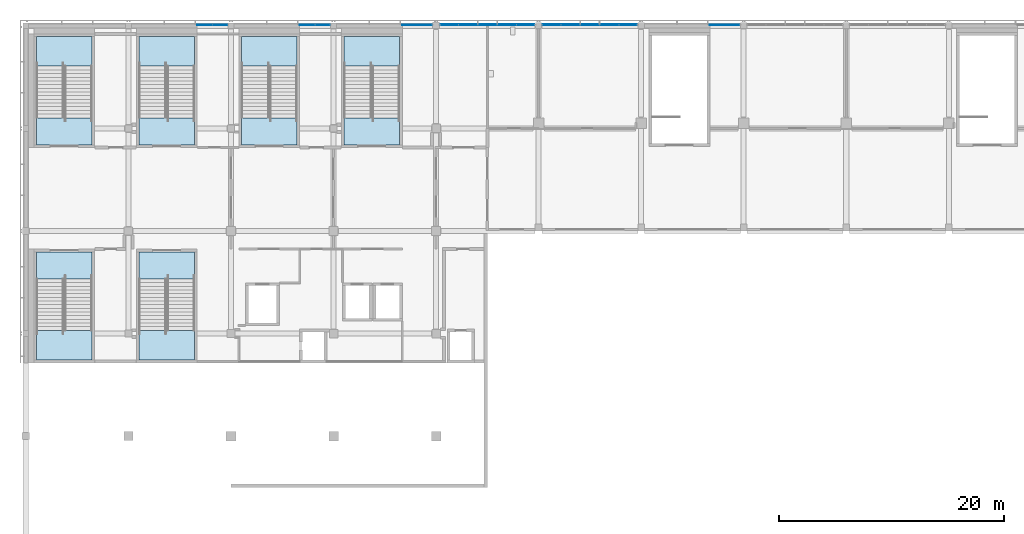
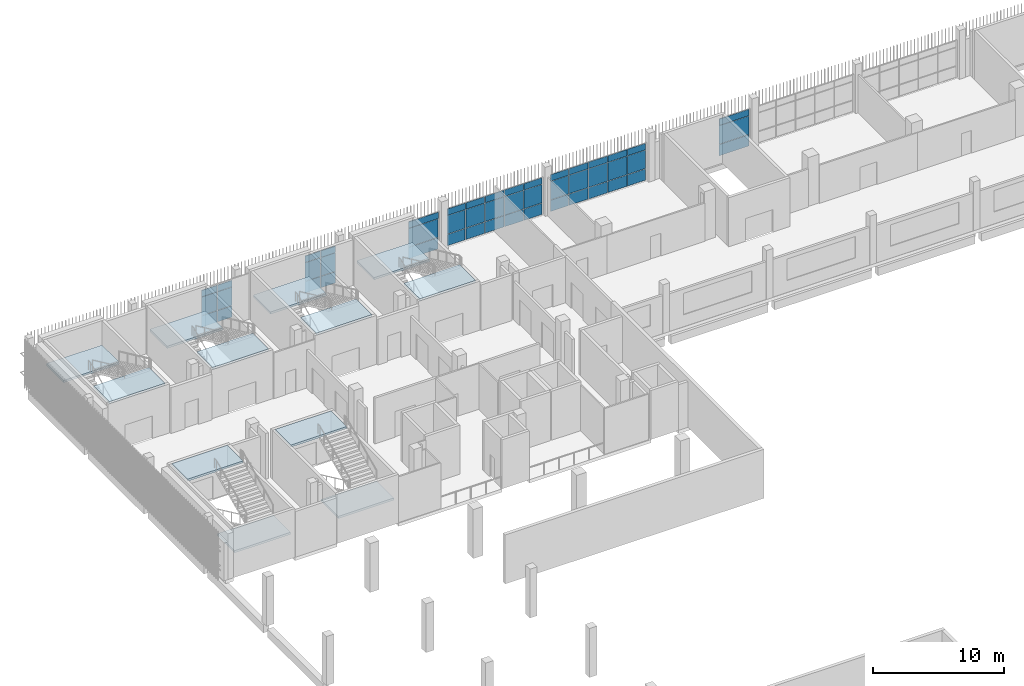
# One storey, part 47 of 104: 48 plates, 12 slabs, 12 elements without a shape of their own.
"""IFC4 building model written with IfcOpenShell, lengths in metres."""

from ifc_helpers import new_model, si_unit, direction, frame, origin, origin_2d, place, context, subcontext, project, spatial, polyline, rectangle, outline, extrude, material, layer, layer_set, type_object, element, aggregate, save


model = new_model("IFC4")

# Units and contexts
model_context = context("Model", 3, precision=1e-05, world=origin(), true_north=direction((0.0, 1.0)))
body_context = subcontext(model_context, "Body", "Model", "MODEL_VIEW")
ifc_project = project(units=[si_unit("LENGTHUNIT", "METRE"), si_unit("AREAUNIT", "SQUARE_METRE"), si_unit("VOLUMEUNIT", "CUBIC_METRE"), si_unit("PLANEANGLEUNIT", "RADIAN"), si_unit("MASSUNIT", "GRAM", prefix="KILO")], contexts=[model_context])

# Site, building, storey
site_placement = place(None, origin())
site = spatial("IfcSite", under=ifc_project, at=site_placement, CompositionType="ELEMENT")
building_placement = place(site_placement, origin())
building = spatial("IfcBuilding", under=site, at=building_placement, Name="Shirokan Park Arena", CompositionType="ELEMENT")
storey_placement = place(building_placement, frame((0.0, 0.0, 10.919921875)))
storey = spatial("IfcBuildingStorey", under=building, at=storey_placement, Name="L02", CompositionType="ELEMENT", Elevation=10.919921875)

# Curtain wall, plate
ifc_material_1 = material(Name="Steel and glass curtain wall", Category="steel")
ifc_layer_1 = layer(ifc_material_1, 0.1201171875)
ifc_layer_set_1 = layer_set([ifc_layer_1], Name="Steel and glass curtain wall 120 mm")
curtain_wall_type_1 = type_object("IfcCurtainWallType", Name="Curtain wall corner block side bay 120", PredefinedType="NOTDEFINED", material=ifc_layer_set_1)
curtain_wall_1_placement = place(storey_placement, origin())
curtain_wall_1 = element("IfcCurtainWall", 1, at=curtain_wall_1_placement, inside=storey, type_object=curtain_wall_type_1, Name="Curtain wall north bay 10 L02", PredefinedType="NOTDEFINED")
ifc_material_2 = material(Name="Aluminium sheet", Category="aluminium")
ifc_layer_2 = layer(ifc_material_2, 0.0029296875, Name="Aluminium sheet")
ifc_material_3 = material(Name="Mineral wool insulation")
ifc_layer_3 = layer(ifc_material_3, 0.053955078125, Name="Mineral wool insulation")
ifc_layer_4 = layer(ifc_material_2, 0.0029296875, Name="Aluminium sheet")
ifc_layer_set_2 = layer_set([ifc_layer_2, ifc_layer_3, ifc_layer_4], Name="Aluminium sheet + Mineral wool insulation")
plate_type_1 = type_object("IfcPlateType", Name="Insulated spandrel panel 60", PredefinedType="CURTAIN_PANEL", material=ifc_layer_set_2)
plate_1_placement = place(storey_placement, frame((62.012451171875, 109.2900390625, 2.8701171875), z_axis=(0.0, 0.0, 1.0), x_axis=(-1.0, 0.0, 0.0)))
plate_1 = element("IfcPlate", 2, at=plate_1_placement, type_object=plate_type_1, Name="CW3 panel 1.3", PredefinedType="CURTAIN_PANEL", context=body_context, shape_type="SweptSolid", body=[
    extrude(rectangle(XDim=2.625, YDim=0.06005859375, at=origin_2d()), origin(), (0.0, 0.0, 1.0), 0.590087890625),
])

# Curtain wall, plates
ifc_layer_5 = layer(ifc_material_1, 0.10009765625)
ifc_layer_set_3 = layer_set([ifc_layer_5], Name="Steel and glass curtain wall 100 mm")
curtain_wall_type_2 = type_object("IfcCurtainWallType", Name="Curtain wall sheltered bay 100", PredefinedType="NOTDEFINED", material=ifc_layer_set_3)
curtain_wall_2_placement = place(storey_placement, origin())
curtain_wall_2 = element("IfcCurtainWall", 3, at=curtain_wall_2_placement, inside=storey, type_object=curtain_wall_type_2, Name="Curtain wall north bay 11 L02", PredefinedType="NOTDEFINED")
plate_2_placement = place(storey_placement, frame((53.4326171875, 109.300048828125, 2.8701171875), z_axis=(0.0, 0.0, 1.0), x_axis=(-1.0, 0.0, 0.0)))
plate_2 = element("IfcPlate", 4, at=plate_2_placement, type_object=plate_type_1, Name="CW2 panel 1.3", PredefinedType="CURTAIN_PANEL", context=body_context, shape_type="SweptSolid", body=[
    extrude(rectangle(XDim=1.5849609375, YDim=0.06005859375, at=origin_2d()), origin(), (0.0, 0.0, 1.0), 0.590087890625),
])
plate_3_placement = place(storey_placement, frame((51.760009765625, 109.300048828125, 2.8701171875), z_axis=(0.0, 0.0, 1.0), x_axis=(-1.0, 0.0, 0.0)))
plate_3 = element("IfcPlate", 5, at=plate_3_placement, type_object=plate_type_1, Name="CW2 panel 2.3", PredefinedType="CURTAIN_PANEL", context=body_context, shape_type="SweptSolid", body=[
    extrude(rectangle(XDim=1.659912109375, YDim=0.06005859375, at=origin_2d()), origin(), (0.0, 0.0, 1.0), 0.590087890625),
])
plate_4_placement = place(storey_placement, frame((50.050048828125, 109.300048828125, 2.8701171875), z_axis=(0.0, 0.0, 1.0), x_axis=(-1.0, 0.0, 0.0)))
plate_4 = element("IfcPlate", 6, at=plate_4_placement, type_object=plate_type_1, Name="CW2 panel 3.3", PredefinedType="CURTAIN_PANEL", context=body_context, shape_type="SweptSolid", body=[
    extrude(rectangle(XDim=1.659912109375, YDim=0.06005859375, at=origin_2d()), origin(), (0.0, 0.0, 1.0), 0.590087890625),
])
plate_5_placement = place(storey_placement, frame((48.340087890625, 109.300048828125, 2.8701171875), z_axis=(0.0, 0.0, 1.0), x_axis=(-1.0, 0.0, 0.0)))
plate_5 = element("IfcPlate", 7, at=plate_5_placement, type_object=plate_type_1, Name="CW2 panel 4.3", PredefinedType="CURTAIN_PANEL", context=body_context, shape_type="SweptSolid", body=[
    extrude(rectangle(XDim=1.659912109375, YDim=0.06005859375, at=origin_2d()), origin(), (0.0, 0.0, 1.0), 0.590087890625),
])
plate_6_placement = place(storey_placement, frame((46.66748046875, 109.300048828125, 2.8701171875), z_axis=(0.0, 0.0, 1.0), x_axis=(-1.0, 0.0, 0.0)))
plate_6 = element("IfcPlate", 8, at=plate_6_placement, type_object=plate_type_1, Name="CW2 panel 5.3", PredefinedType="CURTAIN_PANEL", context=body_context, shape_type="SweptSolid", body=[
    extrude(rectangle(XDim=1.5849609375, YDim=0.06005859375, at=origin_2d()), origin(), (0.0, 0.0, 1.0), 0.590087890625),
])

curtain_wall_3_placement = place(storey_placement, origin())
curtain_wall_3 = element("IfcCurtainWall", 9, at=curtain_wall_3_placement, inside=storey, type_object=curtain_wall_type_2, Name="Curtain wall north bay 12 L02", PredefinedType="NOTDEFINED")
plate_7_placement = place(storey_placement, frame((44.3349609375, 109.300048828125, 2.8701171875), z_axis=(0.0, 0.0, 1.0), x_axis=(-1.0, 0.0, 0.0)))
plate_7 = element("IfcPlate", 10, at=plate_7_placement, type_object=plate_type_1, Name="CW2 panel 1.3", PredefinedType="CURTAIN_PANEL", context=body_context, shape_type="SweptSolid", body=[
    extrude(rectangle(XDim=1.580078125, YDim=0.06005859375, at=origin_2d()), origin(), (0.0, 0.0, 1.0), 0.590087890625),
])
plate_8_placement = place(storey_placement, frame((42.66748046875, 109.300048828125, 2.8701171875), z_axis=(0.0, 0.0, 1.0), x_axis=(-1.0, 0.0, 0.0)))
plate_8 = element("IfcPlate", 11, at=plate_8_placement, type_object=plate_type_1, Name="CW2 panel 2.3", PredefinedType="CURTAIN_PANEL", context=body_context, shape_type="SweptSolid", body=[
    extrude(rectangle(XDim=1.655029296875, YDim=0.06005859375, at=origin_2d()), origin(), (0.0, 0.0, 1.0), 0.590087890625),
])
plate_9_placement = place(storey_placement, frame((40.96240234375, 109.300048828125, 2.8701171875), z_axis=(0.0, 0.0, 1.0), x_axis=(-1.0, 0.0, 0.0)))
plate_9 = element("IfcPlate", 12, at=plate_9_placement, type_object=plate_type_1, Name="CW2 panel 3.3", PredefinedType="CURTAIN_PANEL", context=body_context, shape_type="SweptSolid", body=[
    extrude(rectangle(XDim=1.655029296875, YDim=0.06005859375, at=origin_2d()), origin(), (0.0, 0.0, 1.0), 0.590087890625),
])
plate_10_placement = place(storey_placement, frame((39.257568359375, 109.300048828125, 2.8701171875), z_axis=(0.0, 0.0, 1.0), x_axis=(-1.0, 0.0, 0.0)))
plate_10 = element("IfcPlate", 13, at=plate_10_placement, type_object=plate_type_1, Name="CW2 panel 4.3", PredefinedType="CURTAIN_PANEL", context=body_context, shape_type="SweptSolid", body=[
    extrude(rectangle(XDim=1.655029296875, YDim=0.06005859375, at=origin_2d()), origin(), (0.0, 0.0, 1.0), 0.590087890625),
])
plate_11_placement = place(storey_placement, frame((37.590087890625, 109.300048828125, 2.8701171875), z_axis=(0.0, 0.0, 1.0), x_axis=(-1.0, 0.0, 0.0)))
plate_11 = element("IfcPlate", 14, at=plate_11_placement, type_object=plate_type_1, Name="CW2 panel 5.3", PredefinedType="CURTAIN_PANEL", context=body_context, shape_type="SweptSolid", body=[
    extrude(rectangle(XDim=1.580078125, YDim=0.06005859375, at=origin_2d()), origin(), (0.0, 0.0, 1.0), 0.590087890625),
])

# Curtain wall, plate
curtain_wall_4_placement = place(storey_placement, origin())
curtain_wall_4 = element("IfcCurtainWall", 15, at=curtain_wall_4_placement, inside=storey, type_object=curtain_wall_type_1, Name="Curtain wall north bay 13 L02", PredefinedType="NOTDEFINED")
plate_12_placement = place(storey_placement, frame((34.699951171875, 109.2900390625, 2.8701171875), z_axis=(0.0, 0.0, 1.0), x_axis=(-1.0, 0.0, 0.0)))
plate_12 = element("IfcPlate", 16, at=plate_12_placement, type_object=plate_type_1, Name="CW3 panel 1.3", PredefinedType="CURTAIN_PANEL", context=body_context, shape_type="SweptSolid", body=[
    extrude(rectangle(XDim=2.60009765625, YDim=0.06005859375, at=origin_2d()), origin(), (0.0, 0.0, 1.0), 0.590087890625),
])

# Curtain wall, plates
curtain_wall_5_placement = place(storey_placement, origin())
curtain_wall_5 = element("IfcCurtainWall", 17, at=curtain_wall_5_placement, inside=storey, type_object=curtain_wall_type_1, Name="Curtain wall north bay 14 L02", PredefinedType="NOTDEFINED")
plate_13_placement = place(storey_placement, frame((26.324951171875, 109.2900390625, 2.8701171875), z_axis=(0.0, 0.0, 1.0), x_axis=(-1.0, 0.0, 0.0)))
plate_13 = element("IfcPlate", 18, at=plate_13_placement, type_object=plate_type_1, Name="CW3 panel 1.3", PredefinedType="CURTAIN_PANEL", context=body_context, shape_type="SweptSolid", body=[
    extrude(rectangle(XDim=1.25, YDim=0.06005859375, at=origin_2d()), origin(), (0.0, 0.0, 1.0), 0.590087890625),
])
plate_14_placement = place(storey_placement, frame((24.97509765625, 109.2900390625, 2.8701171875), z_axis=(0.0, 0.0, 1.0), x_axis=(-1.0, 0.0, 0.0)))
plate_14 = element("IfcPlate", 19, at=plate_14_placement, type_object=plate_type_1, Name="CW3 panel 2.3", PredefinedType="CURTAIN_PANEL", context=body_context, shape_type="SweptSolid", body=[
    extrude(rectangle(XDim=1.35009765625, YDim=0.06005859375, at=origin_2d()), origin(), (0.0, 0.0, 1.0), 0.590087890625),
])

curtain_wall_6_placement = place(storey_placement, origin())
curtain_wall_6 = element("IfcCurtainWall", 20, at=curtain_wall_6_placement, inside=storey, type_object=curtain_wall_type_1, Name="Curtain wall north bay 15 L02", PredefinedType="NOTDEFINED")
plate_15_placement = place(storey_placement, frame((17.22509765625, 109.2900390625, 2.8701171875), z_axis=(0.0, 0.0, 1.0), x_axis=(-1.0, 0.0, 0.0)))
plate_15 = element("IfcPlate", 21, at=plate_15_placement, type_object=plate_type_1, Name="CW3 panel 1.3", PredefinedType="CURTAIN_PANEL", context=body_context, shape_type="SweptSolid", body=[
    extrude(rectangle(XDim=1.25, YDim=0.06005859375, at=origin_2d()), origin(), (0.0, 0.0, 1.0), 0.590087890625),
])
plate_16_placement = place(storey_placement, frame((15.875, 109.2900390625, 2.8701171875), z_axis=(0.0, 0.0, 1.0), x_axis=(-1.0, 0.0, 0.0)))
plate_16 = element("IfcPlate", 22, at=plate_16_placement, type_object=plate_type_1, Name="CW3 panel 2.3", PredefinedType="CURTAIN_PANEL", context=body_context, shape_type="SweptSolid", body=[
    extrude(rectangle(XDim=1.35009765625, YDim=0.06005859375, at=origin_2d()), origin(), (0.0, 0.0, 1.0), 0.590087890625),
])

# Plate
ifc_material_4 = material(Name="Toughened glass", Category="glass")
ifc_layer_6 = layer(ifc_material_4, 0.012939453125, Name="Toughened glass")
ifc_material_5 = material(Name="Interlayer film")
ifc_layer_7 = layer(ifc_material_5, 0.001953125, Name="Interlayer film")
ifc_layer_8 = layer(ifc_material_4, 0.012939453125, Name="Toughened glass")
ifc_layer_set_4 = layer_set([ifc_layer_6, ifc_layer_7, ifc_layer_8], Name="Toughened glass + Interlayer film")
plate_type_2 = type_object("IfcPlateType", Name="Laminated glass panel 28", PredefinedType="CURTAIN_PANEL", material=ifc_layer_set_4)
plate_17_placement = place(storey_placement, frame((62.012451171875, 109.2900390625, 1.1201171875), z_axis=(0.0, 0.0, 1.0), x_axis=(-1.0, 0.0, 0.0)))
plate_17 = element("IfcPlate", 23, at=plate_17_placement, type_object=plate_type_2, Name="CW3 panel 1.2", PredefinedType="CURTAIN_PANEL", context=body_context, shape_type="SweptSolid", body=[
    extrude(rectangle(XDim=2.625, YDim=0.028076171875, at=origin_2d()), origin(), (0.0, 0.0, 1.0), 1.7099609375),
])

plate_18_placement = place(storey_placement, frame((53.4326171875, 109.300048828125, 1.1201171875), z_axis=(0.0, 0.0, 1.0), x_axis=(-1.0, 0.0, 0.0)))
plate_18 = element("IfcPlate", 24, at=plate_18_placement, type_object=plate_type_2, Name="CW2 panel 1.2", PredefinedType="CURTAIN_PANEL", context=body_context, shape_type="SweptSolid", body=[
    extrude(rectangle(XDim=1.5849609375, YDim=0.028076171875, at=origin_2d()), origin(), (0.0, 0.0, 1.0), 1.7099609375),
])

plate_19_placement = place(storey_placement, frame((51.760009765625, 109.300048828125, 1.1201171875), z_axis=(0.0, 0.0, 1.0), x_axis=(-1.0, 0.0, 0.0)))
plate_19 = element("IfcPlate", 25, at=plate_19_placement, type_object=plate_type_2, Name="CW2 panel 2.2", PredefinedType="CURTAIN_PANEL", context=body_context, shape_type="SweptSolid", body=[
    extrude(rectangle(XDim=1.659912109375, YDim=0.028076171875, at=origin_2d()), origin(), (0.0, 0.0, 1.0), 1.7099609375),
])

plate_20_placement = place(storey_placement, frame((50.050048828125, 109.300048828125, 1.1201171875), z_axis=(0.0, 0.0, 1.0), x_axis=(-1.0, 0.0, 0.0)))
plate_20 = element("IfcPlate", 26, at=plate_20_placement, type_object=plate_type_2, Name="CW2 panel 3.2", PredefinedType="CURTAIN_PANEL", context=body_context, shape_type="SweptSolid", body=[
    extrude(rectangle(XDim=1.659912109375, YDim=0.028076171875, at=origin_2d()), origin(), (0.0, 0.0, 1.0), 1.7099609375),
])

plate_21_placement = place(storey_placement, frame((48.340087890625, 109.300048828125, 1.1201171875), z_axis=(0.0, 0.0, 1.0), x_axis=(-1.0, 0.0, 0.0)))
plate_21 = element("IfcPlate", 27, at=plate_21_placement, type_object=plate_type_2, Name="CW2 panel 4.2", PredefinedType="CURTAIN_PANEL", context=body_context, shape_type="SweptSolid", body=[
    extrude(rectangle(XDim=1.659912109375, YDim=0.028076171875, at=origin_2d()), origin(), (0.0, 0.0, 1.0), 1.7099609375),
])

plate_22_placement = place(storey_placement, frame((46.66748046875, 109.300048828125, 1.1201171875), z_axis=(0.0, 0.0, 1.0), x_axis=(-1.0, 0.0, 0.0)))
plate_22 = element("IfcPlate", 28, at=plate_22_placement, type_object=plate_type_2, Name="CW2 panel 5.2", PredefinedType="CURTAIN_PANEL", context=body_context, shape_type="SweptSolid", body=[
    extrude(rectangle(XDim=1.5849609375, YDim=0.028076171875, at=origin_2d()), origin(), (0.0, 0.0, 1.0), 1.7099609375),
])

plate_23_placement = place(storey_placement, frame((44.3349609375, 109.300048828125, 1.1201171875), z_axis=(0.0, 0.0, 1.0), x_axis=(-1.0, 0.0, 0.0)))
plate_23 = element("IfcPlate", 29, at=plate_23_placement, type_object=plate_type_2, Name="CW2 panel 1.2", PredefinedType="CURTAIN_PANEL", context=body_context, shape_type="SweptSolid", body=[
    extrude(rectangle(XDim=1.580078125, YDim=0.028076171875, at=origin_2d()), origin(), (0.0, 0.0, 1.0), 1.7099609375),
])

plate_24_placement = place(storey_placement, frame((42.66748046875, 109.300048828125, 1.1201171875), z_axis=(0.0, 0.0, 1.0), x_axis=(-1.0, 0.0, 0.0)))
plate_24 = element("IfcPlate", 30, at=plate_24_placement, type_object=plate_type_2, Name="CW2 panel 2.2", PredefinedType="CURTAIN_PANEL", context=body_context, shape_type="SweptSolid", body=[
    extrude(rectangle(XDim=1.655029296875, YDim=0.028076171875, at=origin_2d()), origin(), (0.0, 0.0, 1.0), 1.7099609375),
])

plate_25_placement = place(storey_placement, frame((40.96240234375, 109.300048828125, 1.1201171875), z_axis=(0.0, 0.0, 1.0), x_axis=(-1.0, 0.0, 0.0)))
plate_25 = element("IfcPlate", 31, at=plate_25_placement, type_object=plate_type_2, Name="CW2 panel 3.2", PredefinedType="CURTAIN_PANEL", context=body_context, shape_type="SweptSolid", body=[
    extrude(rectangle(XDim=1.655029296875, YDim=0.028076171875, at=origin_2d()), origin(), (0.0, 0.0, 1.0), 1.7099609375),
])

plate_26_placement = place(storey_placement, frame((39.257568359375, 109.300048828125, 1.1201171875), z_axis=(0.0, 0.0, 1.0), x_axis=(-1.0, 0.0, 0.0)))
plate_26 = element("IfcPlate", 32, at=plate_26_placement, type_object=plate_type_2, Name="CW2 panel 4.2", PredefinedType="CURTAIN_PANEL", context=body_context, shape_type="SweptSolid", body=[
    extrude(rectangle(XDim=1.655029296875, YDim=0.028076171875, at=origin_2d()), origin(), (0.0, 0.0, 1.0), 1.7099609375),
])

plate_27_placement = place(storey_placement, frame((37.590087890625, 109.300048828125, 1.1201171875), z_axis=(0.0, 0.0, 1.0), x_axis=(-1.0, 0.0, 0.0)))
plate_27 = element("IfcPlate", 33, at=plate_27_placement, type_object=plate_type_2, Name="CW2 panel 5.2", PredefinedType="CURTAIN_PANEL", context=body_context, shape_type="SweptSolid", body=[
    extrude(rectangle(XDim=1.580078125, YDim=0.028076171875, at=origin_2d()), origin(), (0.0, 0.0, 1.0), 1.7099609375),
])

plate_28_placement = place(storey_placement, frame((34.699951171875, 109.2900390625, 1.1201171875), z_axis=(0.0, 0.0, 1.0), x_axis=(-1.0, 0.0, 0.0)))
plate_28 = element("IfcPlate", 34, at=plate_28_placement, type_object=plate_type_2, Name="CW3 panel 1.2", PredefinedType="CURTAIN_PANEL", context=body_context, shape_type="SweptSolid", body=[
    extrude(rectangle(XDim=2.60009765625, YDim=0.028076171875, at=origin_2d()), origin(), (0.0, 0.0, 1.0), 1.7099609375),
])

plate_29_placement = place(storey_placement, frame((26.324951171875, 109.2900390625, 1.1201171875), z_axis=(0.0, 0.0, 1.0), x_axis=(-1.0, 0.0, 0.0)))
plate_29 = element("IfcPlate", 35, at=plate_29_placement, type_object=plate_type_2, Name="CW3 panel 1.2", PredefinedType="CURTAIN_PANEL", context=body_context, shape_type="SweptSolid", body=[
    extrude(rectangle(XDim=1.25, YDim=0.028076171875, at=origin_2d()), origin(), (0.0, 0.0, 1.0), 1.7099609375),
])

plate_30_placement = place(storey_placement, frame((24.97509765625, 109.2900390625, 1.1201171875), z_axis=(0.0, 0.0, 1.0), x_axis=(-1.0, 0.0, 0.0)))
plate_30 = element("IfcPlate", 36, at=plate_30_placement, type_object=plate_type_2, Name="CW3 panel 2.2", PredefinedType="CURTAIN_PANEL", context=body_context, shape_type="SweptSolid", body=[
    extrude(rectangle(XDim=1.35009765625, YDim=0.028076171875, at=origin_2d()), origin(), (0.0, 0.0, 1.0), 1.7099609375),
])

plate_31_placement = place(storey_placement, frame((17.22509765625, 109.2900390625, 1.1201171875), z_axis=(0.0, 0.0, 1.0), x_axis=(-1.0, 0.0, 0.0)))
plate_31 = element("IfcPlate", 37, at=plate_31_placement, type_object=plate_type_2, Name="CW3 panel 1.2", PredefinedType="CURTAIN_PANEL", context=body_context, shape_type="SweptSolid", body=[
    extrude(rectangle(XDim=1.25, YDim=0.028076171875, at=origin_2d()), origin(), (0.0, 0.0, 1.0), 1.7099609375),
])

plate_32_placement = place(storey_placement, frame((15.875, 109.2900390625, 1.1201171875), z_axis=(0.0, 0.0, 1.0), x_axis=(-1.0, 0.0, 0.0)))
plate_32 = element("IfcPlate", 38, at=plate_32_placement, type_object=plate_type_2, Name="CW3 panel 2.2", PredefinedType="CURTAIN_PANEL", context=body_context, shape_type="SweptSolid", body=[
    extrude(rectangle(XDim=1.35009765625, YDim=0.028076171875, at=origin_2d()), origin(), (0.0, 0.0, 1.0), 1.7099609375),
])

ifc_layer_9 = layer(ifc_material_4, 0.01708984375, Name="Toughened glass")
ifc_layer_10 = layer(ifc_material_5, 0.001953125, Name="Interlayer film")
ifc_layer_11 = layer(ifc_material_4, 0.01708984375, Name="Toughened glass")
ifc_layer_set_5 = layer_set([ifc_layer_9, ifc_layer_10, ifc_layer_11], Name="Toughened glass + Interlayer film")
plate_type_3 = type_object("IfcPlateType", Name="Laminated safety glass panel 36", PredefinedType="CURTAIN_PANEL", material=ifc_layer_set_5)
plate_33_placement = place(storey_placement, frame((62.012451171875, 109.2900390625, 0.0400390625), z_axis=(0.0, 0.0, 1.0), x_axis=(-1.0, 0.0, 0.0)))
plate_33 = element("IfcPlate", 39, at=plate_33_placement, type_object=plate_type_3, Name="CW3 panel 1.1", PredefinedType="CURTAIN_PANEL", context=body_context, shape_type="SweptSolid", body=[
    extrude(rectangle(XDim=2.625, YDim=0.035888671875, at=origin_2d()), origin(), (0.0, 0.0, 1.0), 1.0400390625),
])

aggregate(curtain_wall_1, [plate_33, plate_17, plate_1])

plate_34_placement = place(storey_placement, frame((53.4326171875, 109.300048828125, 0.0400390625), z_axis=(0.0, 0.0, 1.0), x_axis=(-1.0, 0.0, 0.0)))
plate_34 = element("IfcPlate", 40, at=plate_34_placement, type_object=plate_type_3, Name="CW2 panel 1.1", PredefinedType="CURTAIN_PANEL", context=body_context, shape_type="SweptSolid", body=[
    extrude(rectangle(XDim=1.5849609375, YDim=0.035888671875, at=origin_2d()), origin(), (0.0, 0.0, 1.0), 1.0400390625),
])

plate_35_placement = place(storey_placement, frame((51.760009765625, 109.300048828125, 0.0400390625), z_axis=(0.0, 0.0, 1.0), x_axis=(-1.0, 0.0, 0.0)))
plate_35 = element("IfcPlate", 41, at=plate_35_placement, type_object=plate_type_3, Name="CW2 panel 2.1", PredefinedType="CURTAIN_PANEL", context=body_context, shape_type="SweptSolid", body=[
    extrude(rectangle(XDim=1.659912109375, YDim=0.035888671875, at=origin_2d()), origin(), (0.0, 0.0, 1.0), 1.0400390625),
])

plate_36_placement = place(storey_placement, frame((50.050048828125, 109.300048828125, 0.0400390625), z_axis=(0.0, 0.0, 1.0), x_axis=(-1.0, 0.0, 0.0)))
plate_36 = element("IfcPlate", 42, at=plate_36_placement, type_object=plate_type_3, Name="CW2 panel 3.1", PredefinedType="CURTAIN_PANEL", context=body_context, shape_type="SweptSolid", body=[
    extrude(rectangle(XDim=1.659912109375, YDim=0.035888671875, at=origin_2d()), origin(), (0.0, 0.0, 1.0), 1.0400390625),
])

plate_37_placement = place(storey_placement, frame((48.340087890625, 109.300048828125, 0.0400390625), z_axis=(0.0, 0.0, 1.0), x_axis=(-1.0, 0.0, 0.0)))
plate_37 = element("IfcPlate", 43, at=plate_37_placement, type_object=plate_type_3, Name="CW2 panel 4.1", PredefinedType="CURTAIN_PANEL", context=body_context, shape_type="SweptSolid", body=[
    extrude(rectangle(XDim=1.659912109375, YDim=0.035888671875, at=origin_2d()), origin(), (0.0, 0.0, 1.0), 1.0400390625),
])

plate_38_placement = place(storey_placement, frame((46.66748046875, 109.300048828125, 0.0400390625), z_axis=(0.0, 0.0, 1.0), x_axis=(-1.0, 0.0, 0.0)))
plate_38 = element("IfcPlate", 44, at=plate_38_placement, type_object=plate_type_3, Name="CW2 panel 5.1", PredefinedType="CURTAIN_PANEL", context=body_context, shape_type="SweptSolid", body=[
    extrude(rectangle(XDim=1.5849609375, YDim=0.035888671875, at=origin_2d()), origin(), (0.0, 0.0, 1.0), 1.0400390625),
])

aggregate(curtain_wall_2, [plate_34, plate_18, plate_2, plate_35, plate_19, plate_3, plate_36, plate_20, plate_4, plate_37, plate_21, plate_5, plate_38, plate_22, plate_6])

plate_39_placement = place(storey_placement, frame((44.3349609375, 109.300048828125, 0.0400390625), z_axis=(0.0, 0.0, 1.0), x_axis=(-1.0, 0.0, 0.0)))
plate_39 = element("IfcPlate", 45, at=plate_39_placement, type_object=plate_type_3, Name="CW2 panel 1.1", PredefinedType="CURTAIN_PANEL", context=body_context, shape_type="SweptSolid", body=[
    extrude(rectangle(XDim=1.580078125, YDim=0.035888671875, at=origin_2d()), origin(), (0.0, 0.0, 1.0), 1.0400390625),
])

plate_40_placement = place(storey_placement, frame((42.66748046875, 109.300048828125, 0.0400390625), z_axis=(0.0, 0.0, 1.0), x_axis=(-1.0, 0.0, 0.0)))
plate_40 = element("IfcPlate", 46, at=plate_40_placement, type_object=plate_type_3, Name="CW2 panel 2.1", PredefinedType="CURTAIN_PANEL", context=body_context, shape_type="SweptSolid", body=[
    extrude(rectangle(XDim=1.655029296875, YDim=0.035888671875, at=origin_2d()), origin(), (0.0, 0.0, 1.0), 1.0400390625),
])

plate_41_placement = place(storey_placement, frame((40.96240234375, 109.300048828125, 0.0400390625), z_axis=(0.0, 0.0, 1.0), x_axis=(-1.0, 0.0, 0.0)))
plate_41 = element("IfcPlate", 47, at=plate_41_placement, type_object=plate_type_3, Name="CW2 panel 3.1", PredefinedType="CURTAIN_PANEL", context=body_context, shape_type="SweptSolid", body=[
    extrude(rectangle(XDim=1.655029296875, YDim=0.035888671875, at=origin_2d()), origin(), (0.0, 0.0, 1.0), 1.0400390625),
])

plate_42_placement = place(storey_placement, frame((39.257568359375, 109.300048828125, 0.0400390625), z_axis=(0.0, 0.0, 1.0), x_axis=(-1.0, 0.0, 0.0)))
plate_42 = element("IfcPlate", 48, at=plate_42_placement, type_object=plate_type_3, Name="CW2 panel 4.1", PredefinedType="CURTAIN_PANEL", context=body_context, shape_type="SweptSolid", body=[
    extrude(rectangle(XDim=1.655029296875, YDim=0.035888671875, at=origin_2d()), origin(), (0.0, 0.0, 1.0), 1.0400390625),
])

plate_43_placement = place(storey_placement, frame((37.590087890625, 109.300048828125, 0.0400390625), z_axis=(0.0, 0.0, 1.0), x_axis=(-1.0, 0.0, 0.0)))
plate_43 = element("IfcPlate", 49, at=plate_43_placement, type_object=plate_type_3, Name="CW2 panel 5.1", PredefinedType="CURTAIN_PANEL", context=body_context, shape_type="SweptSolid", body=[
    extrude(rectangle(XDim=1.580078125, YDim=0.035888671875, at=origin_2d()), origin(), (0.0, 0.0, 1.0), 1.0400390625),
])

aggregate(curtain_wall_3, [plate_39, plate_23, plate_7, plate_40, plate_24, plate_8, plate_41, plate_25, plate_9, plate_42, plate_26, plate_10, plate_43, plate_27, plate_11])

plate_44_placement = place(storey_placement, frame((34.699951171875, 109.2900390625, 0.0400390625), z_axis=(0.0, 0.0, 1.0), x_axis=(-1.0, 0.0, 0.0)))
plate_44 = element("IfcPlate", 50, at=plate_44_placement, type_object=plate_type_3, Name="CW3 panel 1.1", PredefinedType="CURTAIN_PANEL", context=body_context, shape_type="SweptSolid", body=[
    extrude(rectangle(XDim=2.60009765625, YDim=0.035888671875, at=origin_2d()), origin(), (0.0, 0.0, 1.0), 1.0400390625),
])

aggregate(curtain_wall_4, [plate_44, plate_28, plate_12])

plate_45_placement = place(storey_placement, frame((26.324951171875, 109.2900390625, 0.0400390625), z_axis=(0.0, 0.0, 1.0), x_axis=(-1.0, 0.0, 0.0)))
plate_45 = element("IfcPlate", 51, at=plate_45_placement, type_object=plate_type_3, Name="CW3 panel 1.1", PredefinedType="CURTAIN_PANEL", context=body_context, shape_type="SweptSolid", body=[
    extrude(rectangle(XDim=1.25, YDim=0.035888671875, at=origin_2d()), origin(), (0.0, 0.0, 1.0), 1.0400390625),
])

plate_46_placement = place(storey_placement, frame((24.97509765625, 109.2900390625, 0.0400390625), z_axis=(0.0, 0.0, 1.0), x_axis=(-1.0, 0.0, 0.0)))
plate_46 = element("IfcPlate", 52, at=plate_46_placement, type_object=plate_type_3, Name="CW3 panel 2.1", PredefinedType="CURTAIN_PANEL", context=body_context, shape_type="SweptSolid", body=[
    extrude(rectangle(XDim=1.35009765625, YDim=0.035888671875, at=origin_2d()), origin(), (0.0, 0.0, 1.0), 1.0400390625),
])

aggregate(curtain_wall_5, [plate_45, plate_29, plate_13, plate_46, plate_30, plate_14])

plate_47_placement = place(storey_placement, frame((17.22509765625, 109.2900390625, 0.0400390625), z_axis=(0.0, 0.0, 1.0), x_axis=(-1.0, 0.0, 0.0)))
plate_47 = element("IfcPlate", 53, at=plate_47_placement, type_object=plate_type_3, Name="CW3 panel 1.1", PredefinedType="CURTAIN_PANEL", context=body_context, shape_type="SweptSolid", body=[
    extrude(rectangle(XDim=1.25, YDim=0.035888671875, at=origin_2d()), origin(), (0.0, 0.0, 1.0), 1.0400390625),
])

plate_48_placement = place(storey_placement, frame((15.875, 109.2900390625, 0.0400390625), z_axis=(0.0, 0.0, 1.0), x_axis=(-1.0, 0.0, 0.0)))
plate_48 = element("IfcPlate", 54, at=plate_48_placement, type_object=plate_type_3, Name="CW3 panel 2.1", PredefinedType="CURTAIN_PANEL", context=body_context, shape_type="SweptSolid", body=[
    extrude(rectangle(XDim=1.35009765625, YDim=0.035888671875, at=origin_2d()), origin(), (0.0, 0.0, 1.0), 1.0400390625),
])

aggregate(curtain_wall_6, [plate_47, plate_31, plate_15, plate_48, plate_32, plate_16])

# Stair, slabs
ifc_material_6 = material(Name="Concrete C30 precast", Category="concrete")
stair_type = type_object("IfcStairType", Name="Stair 30 risers 152 x 327 2400 wide", PredefinedType="TWO_STRAIGHT_RUN_STAIR", material=ifc_material_6)
stair_1_placement = place(storey_placement, origin())
stair_1 = element("IfcStair", 55, at=stair_1_placement, inside=storey, type_object=stair_type, Name="Exit Stair 4.A L02 to L03", PredefinedType="TWO_STRAIGHT_RUN_STAIR")
ifc_layer_12 = layer(ifc_material_6, 0.199951171875)
ifc_layer_set_6 = layer_set([ifc_layer_12], Name="Concrete C30 precast 200 mm")
slab_type = type_object("IfcSlabType", Name="Stair landing 200", PredefinedType="LANDING", material=ifc_layer_set_6)
slab_1_placement = place(storey_placement, frame((0.0, 0.0, 2.0751953125)))
slab_1 = element("IfcSlab", 56, at=slab_1_placement, type_object=slab_type, Name="ST10.3 landing 1", PredefinedType="LANDING", context=body_context, shape_type="SweptSolid", body=[
    extrude(outline(polyline([(0.949951171875, 105.623779296875), (5.85009765625, 105.623779296875), (5.85009765625, 108.25), (0.949951171875, 108.25), (0.949951171875, 105.623779296875)])), origin(), (0.0, 0.0, 1.0), 0.199951171875),
])
slab_2_placement = place(storey_placement, frame((0.0, 0.0, 4.35009765625)))
slab_2 = element("IfcSlab", 57, at=slab_2_placement, type_object=slab_type, Name="ST10.3 landing 2", PredefinedType="LANDING", context=body_context, shape_type="SweptSolid", body=[
    extrude(outline(polyline([(0.949951171875, 98.64990234375), (5.85009765625, 98.64990234375), (5.85009765625, 101.050048828125), (0.949951171875, 101.050048828125), (0.949951171875, 98.64990234375)])), origin(), (0.0, 0.0, 1.0), 0.199951171875),
])
aggregate(stair_1, [slab_1, slab_2])

stair_2_placement = place(storey_placement, origin())
stair_2 = element("IfcStair", 58, at=stair_2_placement, inside=storey, type_object=stair_type, Name="Exit Stair 4.B L02 to L03", PredefinedType="TWO_STRAIGHT_RUN_STAIR")
slab_3_placement = place(storey_placement, frame((0.0, 0.0, 2.0751953125)))
slab_3 = element("IfcSlab", 59, at=slab_3_placement, type_object=slab_type, Name="ST11.3 landing 1", PredefinedType="LANDING", context=body_context, shape_type="SweptSolid", body=[
    extrude(outline(polyline([(10.050048828125, 105.623779296875), (14.949951171875, 105.623779296875), (14.949951171875, 108.25), (10.050048828125, 108.25), (10.050048828125, 105.623779296875)])), origin(), (0.0, 0.0, 1.0), 0.199951171875),
])
slab_4_placement = place(storey_placement, frame((0.0, 0.0, 4.35009765625)))
slab_4 = element("IfcSlab", 60, at=slab_4_placement, type_object=slab_type, Name="ST11.3 landing 2", PredefinedType="LANDING", context=body_context, shape_type="SweptSolid", body=[
    extrude(outline(polyline([(10.050048828125, 98.64990234375), (14.949951171875, 98.64990234375), (14.949951171875, 101.050048828125), (10.050048828125, 101.050048828125), (10.050048828125, 98.64990234375)])), origin(), (0.0, 0.0, 1.0), 0.199951171875),
])
aggregate(stair_2, [slab_3, slab_4])

stair_3_placement = place(storey_placement, origin())
stair_3 = element("IfcStair", 61, at=stair_3_placement, inside=storey, type_object=stair_type, Name="Exit Stair 4.C L02 to L03", PredefinedType="TWO_STRAIGHT_RUN_STAIR")
slab_5_placement = place(storey_placement, frame((0.0, 0.0, 2.0751953125)))
slab_5 = element("IfcSlab", 62, at=slab_5_placement, type_object=slab_type, Name="ST12.3 landing 1", PredefinedType="LANDING", context=body_context, shape_type="SweptSolid", body=[
    extrude(outline(polyline([(19.14990234375, 105.623779296875), (24.050048828125, 105.623779296875), (24.050048828125, 108.25), (19.14990234375, 108.25), (19.14990234375, 105.623779296875)])), origin(), (0.0, 0.0, 1.0), 0.199951171875),
])
slab_6_placement = place(storey_placement, frame((0.0, 0.0, 4.35009765625)))
slab_6 = element("IfcSlab", 63, at=slab_6_placement, type_object=slab_type, Name="ST12.3 landing 2", PredefinedType="LANDING", context=body_context, shape_type="SweptSolid", body=[
    extrude(outline(polyline([(19.14990234375, 98.64990234375), (24.050048828125, 98.64990234375), (24.050048828125, 101.050048828125), (19.14990234375, 101.050048828125), (19.14990234375, 98.64990234375)])), origin(), (0.0, 0.0, 1.0), 0.199951171875),
])
aggregate(stair_3, [slab_5, slab_6])

stair_4_placement = place(storey_placement, origin())
stair_4 = element("IfcStair", 64, at=stair_4_placement, inside=storey, type_object=stair_type, Name="Exit Stair 4.D L02 to L03", PredefinedType="TWO_STRAIGHT_RUN_STAIR")
slab_7_placement = place(storey_placement, frame((0.0, 0.0, 2.0751953125)))
slab_7 = element("IfcSlab", 65, at=slab_7_placement, type_object=slab_type, Name="ST13.3 landing 1", PredefinedType="LANDING", context=body_context, shape_type="SweptSolid", body=[
    extrude(outline(polyline([(28.25, 105.623779296875), (33.14990234375, 105.623779296875), (33.14990234375, 108.25), (28.25, 108.25), (28.25, 105.623779296875)])), origin(), (0.0, 0.0, 1.0), 0.199951171875),
])
slab_8_placement = place(storey_placement, frame((0.0, 0.0, 4.35009765625)))
slab_8 = element("IfcSlab", 66, at=slab_8_placement, type_object=slab_type, Name="ST13.3 landing 2", PredefinedType="LANDING", context=body_context, shape_type="SweptSolid", body=[
    extrude(outline(polyline([(28.25, 98.64990234375), (33.14990234375, 98.64990234375), (33.14990234375, 101.050048828125), (28.25, 101.050048828125), (28.25, 98.64990234375)])), origin(), (0.0, 0.0, 1.0), 0.199951171875),
])
aggregate(stair_4, [slab_7, slab_8])

stair_5_placement = place(storey_placement, origin())
stair_5 = element("IfcStair", 67, at=stair_5_placement, inside=storey, type_object=stair_type, Name="Exit Stair 4.E L02 to L03", PredefinedType="TWO_STRAIGHT_RUN_STAIR")
slab_9_placement = place(storey_placement, frame((0.0, 0.0, 2.0751953125)))
slab_9 = element("IfcSlab", 68, at=slab_9_placement, type_object=slab_type, Name="ST14.3 landing 1", PredefinedType="LANDING", context=body_context, shape_type="SweptSolid", body=[
    extrude(outline(polyline([(0.949951171875, 79.550048828125), (5.85009765625, 79.550048828125), (5.85009765625, 82.17626953125), (0.949951171875, 82.17626953125), (0.949951171875, 79.550048828125)])), origin(), (0.0, 0.0, 1.0), 0.199951171875),
])
slab_10_placement = place(storey_placement, frame((0.0, 0.0, 4.35009765625)))
slab_10 = element("IfcSlab", 69, at=slab_10_placement, type_object=slab_type, Name="ST14.3 landing 2", PredefinedType="LANDING", context=body_context, shape_type="SweptSolid", body=[
    extrude(outline(polyline([(0.949951171875, 86.75), (5.85009765625, 86.75), (5.85009765625, 89.14990234375), (0.949951171875, 89.14990234375), (0.949951171875, 86.75)])), origin(), (0.0, 0.0, 1.0), 0.199951171875),
])
aggregate(stair_5, [slab_9, slab_10])

stair_6_placement = place(storey_placement, origin())
stair_6 = element("IfcStair", 70, at=stair_6_placement, inside=storey, type_object=stair_type, Name="Exit Stair 4.F L02 to L03", PredefinedType="TWO_STRAIGHT_RUN_STAIR")
slab_11_placement = place(storey_placement, frame((0.0, 0.0, 2.0751953125)))
slab_11 = element("IfcSlab", 71, at=slab_11_placement, type_object=slab_type, Name="ST15.3 landing 1", PredefinedType="LANDING", context=body_context, shape_type="SweptSolid", body=[
    extrude(outline(polyline([(10.050048828125, 79.550048828125), (14.949951171875, 79.550048828125), (14.949951171875, 82.17626953125), (10.050048828125, 82.17626953125), (10.050048828125, 79.550048828125)])), origin(), (0.0, 0.0, 1.0), 0.199951171875),
])
slab_12_placement = place(storey_placement, frame((0.0, 0.0, 4.35009765625)))
slab_12 = element("IfcSlab", 72, at=slab_12_placement, type_object=slab_type, Name="ST15.3 landing 2", PredefinedType="LANDING", context=body_context, shape_type="SweptSolid", body=[
    extrude(outline(polyline([(10.050048828125, 86.75), (14.949951171875, 86.75), (14.949951171875, 89.14990234375), (10.050048828125, 89.14990234375), (10.050048828125, 86.75)])), origin(), (0.0, 0.0, 1.0), 0.199951171875),
])
aggregate(stair_6, [slab_11, slab_12])

save(model, "model.ifc")
